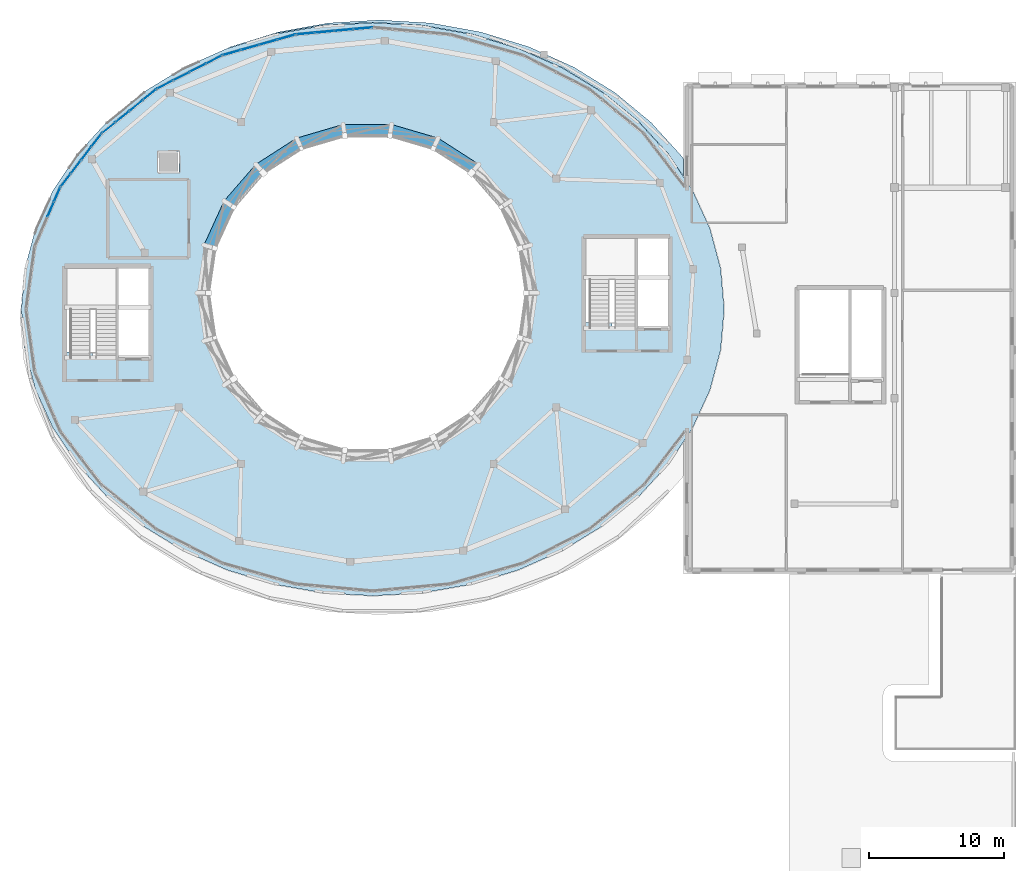
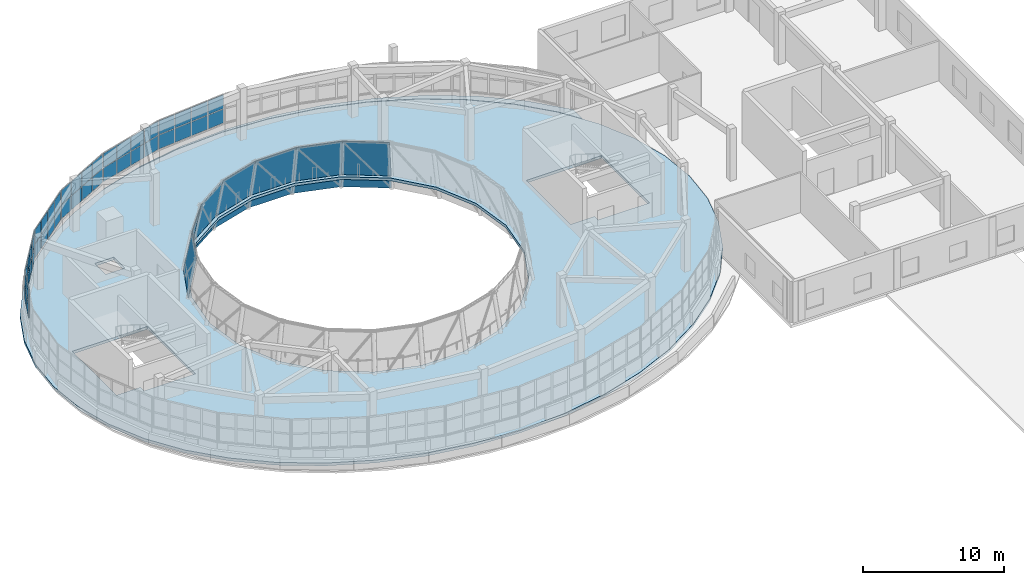
# One storey, part 31 of 46: 51 plates, 2 slabs, 6 elements without a shape of their own.
"""IFC4 building model written with IfcOpenShell, lengths in metres."""

from ifc_helpers import new_model, si_unit, direction, frame, origin, origin_2d, place, context, subcontext, project, spatial, polyline, rectangle, outline, extrude, material, layer, layer_set, type_object, element, aggregate, save


model = new_model("IFC4")

# Units and contexts
model_context = context("Model", 3, precision=1e-05, world=origin(), true_north=direction((0.0, 1.0)))
body_context = subcontext(model_context, "Body", "Model", "MODEL_VIEW")
ifc_project = project(units=[si_unit("LENGTHUNIT", "METRE"), si_unit("AREAUNIT", "SQUARE_METRE"), si_unit("VOLUMEUNIT", "CUBIC_METRE"), si_unit("PLANEANGLEUNIT", "RADIAN"), si_unit("MASSUNIT", "GRAM", prefix="KILO")], contexts=[model_context])

# Site, building, storey
site_placement = place(None, origin())
site = spatial("IfcSite", under=ifc_project, at=site_placement, CompositionType="ELEMENT")
building_placement = place(site_placement, origin())
building = spatial("IfcBuilding", under=site, at=building_placement, Name="Pelvatis Terrace Science Centre", CompositionType="ELEMENT")
storey_placement = place(building_placement, frame((0.0, 0.0, 19.800048828125)))
storey = spatial("IfcBuildingStorey", under=building, at=storey_placement, Name="L04", CompositionType="ELEMENT", Elevation=19.800048828125)

# Curtain wall, plates
ifc_material_1 = material(Name="Bronze-anodised aluminium and laminated glass", Category="aluminium")
ifc_layer_1 = layer(ifc_material_1, 0.14990234375)
ifc_layer_set_1 = layer_set([ifc_layer_1], Name="Bronze-anodised aluminium and laminated glass")
curtain_wall_type = type_object("IfcCurtainWallType", Name="CW-PASSAGE-C", PredefinedType="NOTDEFINED", material=ifc_layer_set_1)
curtain_wall_1_placement = place(storey_placement, origin())
curtain_wall_1 = element("IfcCurtainWall", 1, at=curtain_wall_1_placement, inside=storey, type_object=curtain_wall_type, Name="Ribbon curtain wall CW-218 (L04)", PredefinedType="NOTDEFINED")
ifc_material_2 = material(Name="Low-e laminated solar-control double glazing", Category="glass")
ifc_layer_2 = layer(ifc_material_2, 0.0400390625)
ifc_layer_set_2 = layer_set([ifc_layer_2], Name="Low-e laminated solar-control double glazing")
plate_type_1 = type_object("IfcPlateType", Name="CWP-SPN-40", PredefinedType="CURTAIN_PANEL", material=ifc_layer_set_2)
plate_1_placement = place(storey_placement, frame((108.872802734375, 105.38330078125, 1.074951171875), z_axis=(0.0, 0.0, 1.0), x_axis=(-0.995831338588, -0.09121373299, 0.0)))
plate_1 = element("IfcPlate", 2, at=plate_1_placement, type_object=plate_type_1, Name="CW-218 panel 1.1", PredefinedType="CURTAIN_PANEL", context=body_context, shape_type="SweptSolid", body=[
    extrude(rectangle(XDim=1.350341796875, YDim=0.0400390625, at=origin_2d()), origin(), (0.0, 0.0, 1.0), 1.1923828125),
])
plate_2_placement = place(storey_placement, frame((108.872802734375, 105.38330078125, 2.322509765625), z_axis=(0.0, 0.0, 1.0), x_axis=(-0.995831338588, -0.09121373299, 0.0)))
plate_2 = element("IfcPlate", 3, at=plate_2_placement, type_object=plate_type_1, Name="CW-218 panel 1.2", PredefinedType="CURTAIN_PANEL", context=body_context, shape_type="SweptSolid", body=[
    extrude(rectangle(XDim=1.350341796875, YDim=0.0400390625, at=origin_2d()), origin(), (0.0, 0.0, 1.0), 1.1923828125),
])
plate_3_placement = place(storey_placement, frame((107.459716796875, 105.25390625, 1.074951171875), z_axis=(0.0, 0.0, 1.0), x_axis=(-0.995831338588, -0.09121373299, 0.0)))
plate_3 = element("IfcPlate", 4, at=plate_3_placement, type_object=plate_type_1, Name="CW-218 panel 2.1", PredefinedType="CURTAIN_PANEL", context=body_context, shape_type="SweptSolid", body=[
    extrude(rectangle(XDim=1.3779296875, YDim=0.0400390625, at=origin_2d()), origin(), (0.0, 0.0, 1.0), 1.1923828125),
])
plate_4_placement = place(storey_placement, frame((107.459716796875, 105.25390625, 2.322509765625), z_axis=(0.0, 0.0, 1.0), x_axis=(-0.995831338588, -0.09121373299, 0.0)))
plate_4 = element("IfcPlate", 5, at=plate_4_placement, type_object=plate_type_1, Name="CW-218 panel 2.2", PredefinedType="CURTAIN_PANEL", context=body_context, shape_type="SweptSolid", body=[
    extrude(rectangle(XDim=1.3779296875, YDim=0.0400390625, at=origin_2d()), origin(), (0.0, 0.0, 1.0), 1.1923828125),
])
plate_5_placement = place(storey_placement, frame((106.03271484375, 105.123291015625, 1.074951171875), z_axis=(0.0, 0.0, 1.0), x_axis=(-0.995831338588, -0.09121373299, 0.0)))
plate_5 = element("IfcPlate", 6, at=plate_5_placement, type_object=plate_type_1, Name="CW-218 panel 3.1", PredefinedType="CURTAIN_PANEL", context=body_context, shape_type="SweptSolid", body=[
    extrude(rectangle(XDim=1.3779296875, YDim=0.0400390625, at=origin_2d()), origin(), (0.0, 0.0, 1.0), 1.1923828125),
])
plate_6_placement = place(storey_placement, frame((106.03271484375, 105.123291015625, 2.322509765625), z_axis=(0.0, 0.0, 1.0), x_axis=(-0.995831338588, -0.09121373299, 0.0)))
plate_6 = element("IfcPlate", 7, at=plate_6_placement, type_object=plate_type_1, Name="CW-218 panel 3.2", PredefinedType="CURTAIN_PANEL", context=body_context, shape_type="SweptSolid", body=[
    extrude(rectangle(XDim=1.3779296875, YDim=0.0400390625, at=origin_2d()), origin(), (0.0, 0.0, 1.0), 1.1923828125),
])
plate_7_placement = place(storey_placement, frame((104.619384765625, 104.993896484375, 1.074951171875), z_axis=(0.0, 0.0, 1.0), x_axis=(-0.995831338588, -0.09121373299, 0.0)))
plate_7 = element("IfcPlate", 8, at=plate_7_placement, type_object=plate_type_1, Name="CW-218 panel 4.1", PredefinedType="CURTAIN_PANEL", context=body_context, shape_type="SweptSolid", body=[
    extrude(rectangle(XDim=1.350341796875, YDim=0.0400390625, at=origin_2d()), origin(), (0.0, 0.0, 1.0), 1.1923828125),
])
plate_8_placement = place(storey_placement, frame((104.619384765625, 104.993896484375, 2.322509765625), z_axis=(0.0, 0.0, 1.0), x_axis=(-0.995831338588, -0.09121373299, 0.0)))
plate_8 = element("IfcPlate", 9, at=plate_8_placement, type_object=plate_type_1, Name="CW-218 panel 4.2", PredefinedType="CURTAIN_PANEL", context=body_context, shape_type="SweptSolid", body=[
    extrude(rectangle(XDim=1.350341796875, YDim=0.0400390625, at=origin_2d()), origin(), (0.0, 0.0, 1.0), 1.1923828125),
])
aggregate(curtain_wall_1, [plate_1, plate_2, plate_3, plate_4, plate_5, plate_6, plate_7, plate_8])

curtain_wall_2_placement = place(storey_placement, origin())
curtain_wall_2 = element("IfcCurtainWall", 10, at=curtain_wall_2_placement, inside=storey, type_object=curtain_wall_type, Name="Ribbon curtain wall CW-219 (L04)", PredefinedType="NOTDEFINED")
plate_9_placement = place(storey_placement, frame((103.201416015625, 104.730712890625, 1.074951171875), z_axis=(0.0, 0.0, 1.0), x_axis=(-0.96184998325, -0.273577429116, 0.0)))
plate_9 = element("IfcPlate", 11, at=plate_9_placement, type_object=plate_type_1, Name="CW-219 panel 1.1", PredefinedType="CURTAIN_PANEL", context=body_context, shape_type="SweptSolid", body=[
    extrude(rectangle(XDim=1.32666015625, YDim=0.0400390625, at=origin_2d()), origin(), (0.0, 0.0, 1.0), 1.1923828125),
])
plate_10_placement = place(storey_placement, frame((103.201416015625, 104.730712890625, 2.322509765625), z_axis=(0.0, 0.0, 1.0), x_axis=(-0.96184998325, -0.273577429116, 0.0)))
plate_10 = element("IfcPlate", 12, at=plate_10_placement, type_object=plate_type_1, Name="CW-219 panel 1.2", PredefinedType="CURTAIN_PANEL", context=body_context, shape_type="SweptSolid", body=[
    extrude(rectangle(XDim=1.32666015625, YDim=0.0400390625, at=origin_2d()), origin(), (0.0, 0.0, 1.0), 1.1923828125),
])
plate_11_placement = place(storey_placement, frame((101.859375, 104.348876953125, 1.074951171875), z_axis=(0.0, 0.0, 1.0), x_axis=(-0.96184998325, -0.273577429116, 0.0)))
plate_11 = element("IfcPlate", 13, at=plate_11_placement, type_object=plate_type_1, Name="CW-219 panel 2.1", PredefinedType="CURTAIN_PANEL", context=body_context, shape_type="SweptSolid", body=[
    extrude(rectangle(XDim=1.35400390625, YDim=0.0400390625, at=origin_2d()), origin(), (0.0, 0.0, 1.0), 1.1923828125),
])
plate_12_placement = place(storey_placement, frame((101.859375, 104.348876953125, 2.322509765625), z_axis=(0.0, 0.0, 1.0), x_axis=(-0.96184998325, -0.273577429116, 0.0)))
plate_12 = element("IfcPlate", 14, at=plate_12_placement, type_object=plate_type_1, Name="CW-219 panel 2.2", PredefinedType="CURTAIN_PANEL", context=body_context, shape_type="SweptSolid", body=[
    extrude(rectangle(XDim=1.35400390625, YDim=0.0400390625, at=origin_2d()), origin(), (0.0, 0.0, 1.0), 1.1923828125),
])
plate_13_placement = place(storey_placement, frame((100.50390625, 103.96337890625, 1.074951171875), z_axis=(0.0, 0.0, 1.0), x_axis=(-0.96184998325, -0.273577429116, 0.0)))
plate_13 = element("IfcPlate", 15, at=plate_13_placement, type_object=plate_type_1, Name="CW-219 panel 3.1", PredefinedType="CURTAIN_PANEL", context=body_context, shape_type="SweptSolid", body=[
    extrude(rectangle(XDim=1.35400390625, YDim=0.0400390625, at=origin_2d()), origin(), (0.0, 0.0, 1.0), 1.1923828125),
])
plate_14_placement = place(storey_placement, frame((100.50390625, 103.96337890625, 2.322509765625), z_axis=(0.0, 0.0, 1.0), x_axis=(-0.96184998325, -0.273577429116, 0.0)))
plate_14 = element("IfcPlate", 16, at=plate_14_placement, type_object=plate_type_1, Name="CW-219 panel 3.2", PredefinedType="CURTAIN_PANEL", context=body_context, shape_type="SweptSolid", body=[
    extrude(rectangle(XDim=1.35400390625, YDim=0.0400390625, at=origin_2d()), origin(), (0.0, 0.0, 1.0), 1.1923828125),
])
plate_15_placement = place(storey_placement, frame((99.161865234375, 103.581787109375, 1.074951171875), z_axis=(0.0, 0.0, 1.0), x_axis=(-0.96184998325, -0.273577429116, 0.0)))
plate_15 = element("IfcPlate", 17, at=plate_15_placement, type_object=plate_type_1, Name="CW-219 panel 4.1", PredefinedType="CURTAIN_PANEL", context=body_context, shape_type="SweptSolid", body=[
    extrude(rectangle(XDim=1.32666015625, YDim=0.0400390625, at=origin_2d()), origin(), (0.0, 0.0, 1.0), 1.1923828125),
])
plate_16_placement = place(storey_placement, frame((99.161865234375, 103.581787109375, 2.322509765625), z_axis=(0.0, 0.0, 1.0), x_axis=(-0.96184998325, -0.273577429116, 0.0)))
plate_16 = element("IfcPlate", 18, at=plate_16_placement, type_object=plate_type_1, Name="CW-219 panel 4.2", PredefinedType="CURTAIN_PANEL", context=body_context, shape_type="SweptSolid", body=[
    extrude(rectangle(XDim=1.32666015625, YDim=0.0400390625, at=origin_2d()), origin(), (0.0, 0.0, 1.0), 1.1923828125),
])
aggregate(curtain_wall_2, [plate_9, plate_10, plate_11, plate_12, plate_13, plate_14, plate_15, plate_16])

curtain_wall_3_placement = place(storey_placement, origin())
curtain_wall_3 = element("IfcCurtainWall", 19, at=curtain_wall_3_placement, inside=storey, type_object=curtain_wall_type, Name="Ribbon curtain wall CW-220 (L04)", PredefinedType="NOTDEFINED")
plate_17_placement = place(storey_placement, frame((97.850830078125, 103.068359375, 1.074951171875), z_axis=(0.0, 0.0, 1.0), x_axis=(-0.890563601587, -0.454858737992, 0.0)))
plate_17 = element("IfcPlate", 20, at=plate_17_placement, type_object=plate_type_1, Name="CW-220 panel 1.1", PredefinedType="CURTAIN_PANEL", context=body_context, shape_type="SweptSolid", body=[
    extrude(rectangle(XDim=1.28271484375, YDim=0.0400390625, at=origin_2d()), origin(), (0.0, 0.0, 1.0), 1.1923828125),
])
plate_18_placement = place(storey_placement, frame((97.850830078125, 103.068359375, 2.322509765625), z_axis=(0.0, 0.0, 1.0), x_axis=(-0.890563601587, -0.454858737992, 0.0)))
plate_18 = element("IfcPlate", 21, at=plate_18_placement, type_object=plate_type_1, Name="CW-220 panel 1.2", PredefinedType="CURTAIN_PANEL", context=body_context, shape_type="SweptSolid", body=[
    extrude(rectangle(XDim=1.28271484375, YDim=0.0400390625, at=origin_2d()), origin(), (0.0, 0.0, 1.0), 1.1923828125),
])
plate_19_placement = place(storey_placement, frame((96.647216796875, 102.45361328125, 1.074951171875), z_axis=(0.0, 0.0, 1.0), x_axis=(-0.890563601587, -0.454858737992, 0.0)))
plate_19 = element("IfcPlate", 22, at=plate_19_placement, type_object=plate_type_1, Name="CW-220 panel 2.1", PredefinedType="CURTAIN_PANEL", context=body_context, shape_type="SweptSolid", body=[
    extrude(rectangle(XDim=1.310302734375, YDim=0.0400390625, at=origin_2d()), origin(), (0.0, 0.0, 1.0), 1.1923828125),
])
plate_20_placement = place(storey_placement, frame((96.647216796875, 102.45361328125, 2.322509765625), z_axis=(0.0, 0.0, 1.0), x_axis=(-0.890563601587, -0.454858737992, 0.0)))
plate_20 = element("IfcPlate", 23, at=plate_20_placement, type_object=plate_type_1, Name="CW-220 panel 2.2", PredefinedType="CURTAIN_PANEL", context=body_context, shape_type="SweptSolid", body=[
    extrude(rectangle(XDim=1.310302734375, YDim=0.0400390625, at=origin_2d()), origin(), (0.0, 0.0, 1.0), 1.1923828125),
])
plate_21_placement = place(storey_placement, frame((95.431396484375, 101.832763671875, 1.074951171875), z_axis=(0.0, 0.0, 1.0), x_axis=(-0.890563601587, -0.454858737992, 0.0)))
plate_21 = element("IfcPlate", 24, at=plate_21_placement, type_object=plate_type_1, Name="CW-220 panel 3.1", PredefinedType="CURTAIN_PANEL", context=body_context, shape_type="SweptSolid", body=[
    extrude(rectangle(XDim=1.310302734375, YDim=0.0400390625, at=origin_2d()), origin(), (0.0, 0.0, 1.0), 1.1923828125),
])
plate_22_placement = place(storey_placement, frame((95.431396484375, 101.832763671875, 2.322509765625), z_axis=(0.0, 0.0, 1.0), x_axis=(-0.890563601587, -0.454858737992, 0.0)))
plate_22 = element("IfcPlate", 25, at=plate_22_placement, type_object=plate_type_1, Name="CW-220 panel 3.2", PredefinedType="CURTAIN_PANEL", context=body_context, shape_type="SweptSolid", body=[
    extrude(rectangle(XDim=1.310302734375, YDim=0.0400390625, at=origin_2d()), origin(), (0.0, 0.0, 1.0), 1.1923828125),
])
plate_23_placement = place(storey_placement, frame((94.227783203125, 101.218017578125, 1.074951171875), z_axis=(0.0, 0.0, 1.0), x_axis=(-0.890563601587, -0.454858737992, 0.0)))
plate_23 = element("IfcPlate", 26, at=plate_23_placement, type_object=plate_type_1, Name="CW-220 panel 4.1", PredefinedType="CURTAIN_PANEL", context=body_context, shape_type="SweptSolid", body=[
    extrude(rectangle(XDim=1.28271484375, YDim=0.0400390625, at=origin_2d()), origin(), (0.0, 0.0, 1.0), 1.1923828125),
])
plate_24_placement = place(storey_placement, frame((94.227783203125, 101.218017578125, 2.322509765625), z_axis=(0.0, 0.0, 1.0), x_axis=(-0.890563601587, -0.454858737992, 0.0)))
plate_24 = element("IfcPlate", 27, at=plate_24_placement, type_object=plate_type_1, Name="CW-220 panel 4.2", PredefinedType="CURTAIN_PANEL", context=body_context, shape_type="SweptSolid", body=[
    extrude(rectangle(XDim=1.28271484375, YDim=0.0400390625, at=origin_2d()), origin(), (0.0, 0.0, 1.0), 1.1923828125),
])
aggregate(curtain_wall_3, [plate_17, plate_18, plate_19, plate_20, plate_21, plate_22, plate_23, plate_24])

curtain_wall_4_placement = place(storey_placement, origin())
curtain_wall_4 = element("IfcCurtainWall", 28, at=curtain_wall_4_placement, inside=storey, type_object=curtain_wall_type, Name="Ribbon curtain wall CW-221 (L04)", PredefinedType="NOTDEFINED")
plate_25_placement = place(storey_placement, frame((93.089111328125, 100.479736328125, 1.074951171875), z_axis=(0.0, 0.0, 1.0), x_axis=(-0.775980152456, -0.630757324963, 0.0)))
plate_25 = element("IfcPlate", 29, at=plate_25_placement, type_object=plate_type_1, Name="CW-221 panel 1.1", PredefinedType="CURTAIN_PANEL", context=body_context, shape_type="SweptSolid", body=[
    extrude(rectangle(XDim=1.22607421875, YDim=0.0400390625, at=origin_2d()), origin(), (0.0, 0.0, 1.0), 1.1923828125),
])
plate_26_placement = place(storey_placement, frame((93.089111328125, 100.479736328125, 2.322509765625), z_axis=(0.0, 0.0, 1.0), x_axis=(-0.775980152456, -0.630757324963, 0.0)))
plate_26 = element("IfcPlate", 30, at=plate_26_placement, type_object=plate_type_1, Name="CW-221 panel 1.2", PredefinedType="CURTAIN_PANEL", context=body_context, shape_type="SweptSolid", body=[
    extrude(rectangle(XDim=1.22607421875, YDim=0.0400390625, at=origin_2d()), origin(), (0.0, 0.0, 1.0), 1.1923828125),
])
plate_27_placement = place(storey_placement, frame((92.08447265625, 99.6630859375, 1.074951171875), z_axis=(0.0, 0.0, 1.0), x_axis=(-0.775980152456, -0.630757324963, 0.0)))
plate_27 = element("IfcPlate", 31, at=plate_27_placement, type_object=plate_type_1, Name="CW-221 panel 2.1", PredefinedType="CURTAIN_PANEL", context=body_context, shape_type="SweptSolid", body=[
    extrude(rectangle(XDim=1.25341796875, YDim=0.0400390625, at=origin_2d()), origin(), (0.0, 0.0, 1.0), 1.1923828125),
])
plate_28_placement = place(storey_placement, frame((92.08447265625, 99.6630859375, 2.322509765625), z_axis=(0.0, 0.0, 1.0), x_axis=(-0.775980152456, -0.630757324963, 0.0)))
plate_28 = element("IfcPlate", 32, at=plate_28_placement, type_object=plate_type_1, Name="CW-221 panel 2.2", PredefinedType="CURTAIN_PANEL", context=body_context, shape_type="SweptSolid", body=[
    extrude(rectangle(XDim=1.25341796875, YDim=0.0400390625, at=origin_2d()), origin(), (0.0, 0.0, 1.0), 1.1923828125),
])
plate_29_placement = place(storey_placement, frame((91.069091796875, 98.837890625, 1.074951171875), z_axis=(0.0, 0.0, 1.0), x_axis=(-0.775980152456, -0.630757324963, 0.0)))
plate_29 = element("IfcPlate", 33, at=plate_29_placement, type_object=plate_type_1, Name="CW-221 panel 3.1", PredefinedType="CURTAIN_PANEL", context=body_context, shape_type="SweptSolid", body=[
    extrude(rectangle(XDim=1.25341796875, YDim=0.0400390625, at=origin_2d()), origin(), (0.0, 0.0, 1.0), 1.1923828125),
])
plate_30_placement = place(storey_placement, frame((91.069091796875, 98.837890625, 2.322509765625), z_axis=(0.0, 0.0, 1.0), x_axis=(-0.775980152456, -0.630757324963, 0.0)))
plate_30 = element("IfcPlate", 34, at=plate_30_placement, type_object=plate_type_1, Name="CW-221 panel 3.2", PredefinedType="CURTAIN_PANEL", context=body_context, shape_type="SweptSolid", body=[
    extrude(rectangle(XDim=1.25341796875, YDim=0.0400390625, at=origin_2d()), origin(), (0.0, 0.0, 1.0), 1.1923828125),
])
plate_31_placement = place(storey_placement, frame((90.064453125, 98.021240234375, 1.074951171875), z_axis=(0.0, 0.0, 1.0), x_axis=(-0.775980152456, -0.630757324963, 0.0)))
plate_31 = element("IfcPlate", 35, at=plate_31_placement, type_object=plate_type_1, Name="CW-221 panel 4.1", PredefinedType="CURTAIN_PANEL", context=body_context, shape_type="SweptSolid", body=[
    extrude(rectangle(XDim=1.22607421875, YDim=0.0400390625, at=origin_2d()), origin(), (0.0, 0.0, 1.0), 1.1923828125),
])
plate_32_placement = place(storey_placement, frame((90.064453125, 98.021240234375, 2.322509765625), z_axis=(0.0, 0.0, 1.0), x_axis=(-0.775980152456, -0.630757324963, 0.0)))
plate_32 = element("IfcPlate", 36, at=plate_32_placement, type_object=plate_type_1, Name="CW-221 panel 4.2", PredefinedType="CURTAIN_PANEL", context=body_context, shape_type="SweptSolid", body=[
    extrude(rectangle(XDim=1.22607421875, YDim=0.0400390625, at=origin_2d()), origin(), (0.0, 0.0, 1.0), 1.1923828125),
])
aggregate(curtain_wall_4, [plate_25, plate_26, plate_27, plate_28, plate_29, plate_30, plate_31, plate_32])

curtain_wall_5_placement = place(storey_placement, origin())
curtain_wall_5 = element("IfcCurtainWall", 37, at=curtain_wall_5_placement, inside=storey, type_object=curtain_wall_type, Name="Ribbon curtain wall CW-222 (L04)", PredefinedType="NOTDEFINED")
plate_33_placement = place(storey_placement, frame((89.155517578125, 97.0947265625, 1.074951171875), z_axis=(0.0, 0.0, 1.0), x_axis=(-0.611582483994, -0.791180678019, 0.0)))
plate_33 = element("IfcPlate", 38, at=plate_33_placement, type_object=plate_type_1, Name="CW-222 panel 1.1", PredefinedType="CURTAIN_PANEL", context=body_context, shape_type="SweptSolid", body=[
    extrude(rectangle(XDim=1.166748046875, YDim=0.0400390625, at=origin_2d()), origin(), (0.0, 0.0, 1.0), 1.1923828125),
])
plate_34_placement = place(storey_placement, frame((89.155517578125, 97.0947265625, 2.322509765625), z_axis=(0.0, 0.0, 1.0), x_axis=(-0.611582483994, -0.791180678019, 0.0)))
plate_34 = element("IfcPlate", 39, at=plate_34_placement, type_object=plate_type_1, Name="CW-222 panel 1.2", PredefinedType="CURTAIN_PANEL", context=body_context, shape_type="SweptSolid", body=[
    extrude(rectangle(XDim=1.166748046875, YDim=0.0400390625, at=origin_2d()), origin(), (0.0, 0.0, 1.0), 1.1923828125),
])
plate_35_placement = place(storey_placement, frame((88.400146484375, 96.117431640625, 1.074951171875), z_axis=(0.0, 0.0, 1.0), x_axis=(-0.611582483994, -0.791180678019, 0.0)))
plate_35 = element("IfcPlate", 40, at=plate_35_placement, type_object=plate_type_1, Name="CW-222 panel 2.1", PredefinedType="CURTAIN_PANEL", context=body_context, shape_type="SweptSolid", body=[
    extrude(rectangle(XDim=1.194091796875, YDim=0.0400390625, at=origin_2d()), origin(), (0.0, 0.0, 1.0), 1.1923828125),
])
plate_36_placement = place(storey_placement, frame((88.400146484375, 96.117431640625, 2.322509765625), z_axis=(0.0, 0.0, 1.0), x_axis=(-0.611582483994, -0.791180678019, 0.0)))
plate_36 = element("IfcPlate", 41, at=plate_36_placement, type_object=plate_type_1, Name="CW-222 panel 2.2", PredefinedType="CURTAIN_PANEL", context=body_context, shape_type="SweptSolid", body=[
    extrude(rectangle(XDim=1.194091796875, YDim=0.0400390625, at=origin_2d()), origin(), (0.0, 0.0, 1.0), 1.1923828125),
])
plate_37_placement = place(storey_placement, frame((87.635986328125, 95.12890625, 1.074951171875), z_axis=(0.0, 0.0, 1.0), x_axis=(-0.611582483994, -0.791180678019, 0.0)))
plate_37 = element("IfcPlate", 42, at=plate_37_placement, type_object=plate_type_1, Name="CW-222 panel 3.1", PredefinedType="CURTAIN_PANEL", context=body_context, shape_type="SweptSolid", body=[
    extrude(rectangle(XDim=1.194091796875, YDim=0.0400390625, at=origin_2d()), origin(), (0.0, 0.0, 1.0), 1.1923828125),
])
plate_38_placement = place(storey_placement, frame((87.635986328125, 95.12890625, 2.322509765625), z_axis=(0.0, 0.0, 1.0), x_axis=(-0.611582483994, -0.791180678019, 0.0)))
plate_38 = element("IfcPlate", 43, at=plate_38_placement, type_object=plate_type_1, Name="CW-222 panel 3.2", PredefinedType="CURTAIN_PANEL", context=body_context, shape_type="SweptSolid", body=[
    extrude(rectangle(XDim=1.194091796875, YDim=0.0400390625, at=origin_2d()), origin(), (0.0, 0.0, 1.0), 1.1923828125),
])
plate_39_placement = place(storey_placement, frame((86.880615234375, 94.151611328125, 1.074951171875), z_axis=(0.0, 0.0, 1.0), x_axis=(-0.611582483994, -0.791180678019, 0.0)))
plate_39 = element("IfcPlate", 44, at=plate_39_placement, type_object=plate_type_1, Name="CW-222 panel 4.1", PredefinedType="CURTAIN_PANEL", context=body_context, shape_type="SweptSolid", body=[
    extrude(rectangle(XDim=1.166748046875, YDim=0.0400390625, at=origin_2d()), origin(), (0.0, 0.0, 1.0), 1.1923828125),
])
plate_40_placement = place(storey_placement, frame((86.880615234375, 94.151611328125, 2.322509765625), z_axis=(0.0, 0.0, 1.0), x_axis=(-0.611582483994, -0.791180678019, 0.0)))
plate_40 = element("IfcPlate", 45, at=plate_40_placement, type_object=plate_type_1, Name="CW-222 panel 4.2", PredefinedType="CURTAIN_PANEL", context=body_context, shape_type="SweptSolid", body=[
    extrude(rectangle(XDim=1.166748046875, YDim=0.0400390625, at=origin_2d()), origin(), (0.0, 0.0, 1.0), 1.1923828125),
])
aggregate(curtain_wall_5, [plate_33, plate_34, plate_35, plate_36, plate_37, plate_38, plate_39, plate_40])

curtain_wall_6_placement = place(storey_placement, origin())
curtain_wall_6 = element("IfcCurtainWall", 46, at=curtain_wall_6_placement, inside=storey, type_object=curtain_wall_type, Name="Ribbon curtain wall CW-223 (L04)", PredefinedType="NOTDEFINED")
plate_41_placement = place(storey_placement, frame((86.24755859375, 93.0830078125, 1.074951171875), z_axis=(0.0, 0.0, 1.0), x_axis=(-0.395385330111, -0.918515345943, 0.0)))
plate_41 = element("IfcPlate", 47, at=plate_41_placement, type_object=plate_type_1, Name="CW-223 panel 1.1", PredefinedType="CURTAIN_PANEL", context=body_context, shape_type="SweptSolid", body=[
    extrude(rectangle(XDim=1.116943359375, YDim=0.0400390625, at=origin_2d()), origin(), (0.0, 0.0, 1.0), 1.1923828125),
])
plate_42_placement = place(storey_placement, frame((86.24755859375, 93.0830078125, 2.322509765625), z_axis=(0.0, 0.0, 1.0), x_axis=(-0.395385330111, -0.918515345943, 0.0)))
plate_42 = element("IfcPlate", 48, at=plate_42_placement, type_object=plate_type_1, Name="CW-223 panel 1.2", PredefinedType="CURTAIN_PANEL", context=body_context, shape_type="SweptSolid", body=[
    extrude(rectangle(XDim=1.116943359375, YDim=0.0400390625, at=origin_2d()), origin(), (0.0, 0.0, 1.0), 1.1923828125),
])
plate_43_placement = place(storey_placement, frame((85.77880859375, 91.993896484375, 1.074951171875), z_axis=(0.0, 0.0, 1.0), x_axis=(-0.395385330111, -0.918515345943, 0.0)))
plate_43 = element("IfcPlate", 49, at=plate_43_placement, type_object=plate_type_1, Name="CW-223 panel 2.1", PredefinedType="CURTAIN_PANEL", context=body_context, shape_type="SweptSolid", body=[
    extrude(rectangle(XDim=1.14453125, YDim=0.0400390625, at=origin_2d()), origin(), (0.0, 0.0, 1.0), 1.1923828125),
])
plate_44_placement = place(storey_placement, frame((85.77880859375, 91.993896484375, 2.322509765625), z_axis=(0.0, 0.0, 1.0), x_axis=(-0.395385330111, -0.918515345943, 0.0)))
plate_44 = element("IfcPlate", 50, at=plate_44_placement, type_object=plate_type_1, Name="CW-223 panel 2.2", PredefinedType="CURTAIN_PANEL", context=body_context, shape_type="SweptSolid", body=[
    extrude(rectangle(XDim=1.14453125, YDim=0.0400390625, at=origin_2d()), origin(), (0.0, 0.0, 1.0), 1.1923828125),
])
aggregate(curtain_wall_6, [plate_41, plate_42, plate_43, plate_44])

# Plates
ifc_material_3 = material(Name="Bronze-patinated standing-seam titanium-zinc sheet", Category="steel")
ifc_layer_3 = layer(ifc_material_3, 0.01611328125)
ifc_layer_set_3 = layer_set([ifc_layer_3], Name="Bronze-patinated standing-seam titanium-zinc sheet")
plate_type_2 = type_object("IfcPlateType", Name="PLT-DOM-SH16", PredefinedType="SHEET", material=ifc_layer_set_3)
plate_45_placement = place(storey_placement, frame((117.451171875, 95.322509765625, -1.199951171875), z_axis=(0.531756739716, 0.827450331826, 0.180445886977), x_axis=(-0.841259486521, 0.540631553217, -1.974539e-06)))
element("IfcPlate", 51, at=plate_45_placement, inside=storey, type_object=plate_type_2, Name="Planetarium dome shell panel 1.04", PredefinedType="SHEET", context=body_context, shape_type="SweptSolid", body=[
    extrude(outline(polyline([(0.0, 0.0), (3.5864210278518227, -1.1102230246251565e-16), (3.4669986439964298, 4.590745184865685), (0.11888999371605703, 4.590731263848958), (0.0, 0.0)])), origin(), (0.0, 0.0, -1.0), 0.013916015625),
])
plate_46_placement = place(storey_placement, frame((114.43408203125, 97.261474609375, -1.199951171875), z_axis=(0.277100733265, 0.943742349873, 0.180459304775), x_axis=(-0.959495063736, 0.281725438426, 3.094584e-06)))
element("IfcPlate", 52, at=plate_46_placement, inside=storey, type_object=plate_type_2, Name="Planetarium dome shell panel 1.05", PredefinedType="SHEET", context=body_context, shape_type="SweptSolid", body=[
    extrude(outline(polyline([(0.0, 0.0), (3.5861580303966187, 0.0), (3.4671141858804626, 4.590738806137446), (0.11882740907809529, 4.5907606235506595), (0.0, 0.0)])), origin(), (0.0, 0.0, -1.0), 0.013916015625),
])
plate_47_placement = place(storey_placement, frame((110.9931640625, 98.271728515625, -1.199951171875), z_axis=(0.0, 0.983585326699, 0.180443634144), x_axis=(-1.0, 0.0, 0.0)))
element("IfcPlate", 53, at=plate_47_placement, inside=storey, type_object=plate_type_2, Name="Planetarium dome shell panel 1.06", PredefinedType="SHEET", context=body_context, shape_type="SweptSolid", body=[
    extrude(outline(polyline([(0.0, 0.0), (3.58642578125, 0.0), (3.46728515625, 4.590736295884346), (0.119140625, 4.590736295884346), (0.0, 0.0)])), origin(), (0.0, 0.0, -1.0), 0.013916015625),
])
plate_48_placement = place(storey_placement, frame((107.40673828125, 98.271728515625, -1.199951171875), z_axis=(-0.277109719655, 0.943738325425, 0.180466552018), x_axis=(-0.95949236026, -0.281734645683, -4.85537e-06)))
element("IfcPlate", 54, at=plate_48_placement, inside=storey, type_object=plate_type_2, Name="Planetarium dome shell panel 1.07", PredefinedType="SHEET", context=body_context, shape_type="SweptSolid", body=[
    extrude(outline(polyline([(0.0, 0.0), (3.5861580296259756, -2.7755575615628914e-17), (3.467096369178922, 4.590773035753284), (0.11904384300045226, 4.590738805574746), (0.0, 0.0)])), origin(), (0.0, 0.0, -1.0), 0.013916015625),
])
plate_49_placement = place(storey_placement, frame((103.9658203125, 97.261474609375, -1.199951171875), z_axis=(-0.531753980728, 0.827446038649, 0.180473701973), x_axis=(-0.841259486461, -0.540631553311, 1.974834e-06)))
element("IfcPlate", 55, at=plate_49_placement, inside=storey, type_object=plate_type_2, Name="Planetarium dome shell panel 1.08", PredefinedType="SHEET", context=body_context, shape_type="SweptSolid", body=[
    extrude(outline(polyline([(0.0, 0.0), (3.5864210278518245, 0.0), (3.4673256499395366, 4.590755082085776), (0.11921699965917083, 4.590769005248371), (0.0, 0.0)])), origin(), (0.0, 0.0, -1.0), 0.013916015625),
])
plate_50_placement = place(storey_placement, frame((100.94873046875, 95.322509765625, -1.199951171875), z_axis=(-0.743332249683, 0.64412201511, 0.180454970094), x_axis=(-0.654872584356, -0.755739305749, 2.28939e-06)))
element("IfcPlate", 56, at=plate_50_placement, inside=storey, type_object=plate_type_2, Name="Planetarium dome shell panel 1.09", PredefinedType="SHEET", context=body_context, shape_type="SweptSolid", body=[
    extrude(outline(polyline([(0.0, 0.0), (3.5864482504706316, -5.551115123125783e-17), (3.4672526309753757, 4.590737932238182), (0.11913426064294838, 4.590754073150439), (0.0, 0.0)])), origin(), (0.0, 0.0, -1.0), 0.013916015625),
])
plate_51_placement = place(storey_placement, frame((98.60009765625, 92.612060546875, -1.199951171875), z_axis=(-0.894704511848, 0.408585305387, 0.180449119425), x_axis=(-0.415404390444, -0.909636846439, 3.67539e-07)))
element("IfcPlate", 57, at=plate_51_placement, inside=storey, type_object=plate_type_2, Name="Planetarium dome shell panel 1.10", PredefinedType="SHEET", context=body_context, shape_type="SweptSolid", body=[
    extrude(outline(polyline([(0.0, 0.0), (3.5862707843283346, 0.0), (3.4672402548157786, 4.5907396971137535), (0.11902773731393917, 4.590742288341202), (0.0, 0.0)])), origin(), (0.0, 0.0, -1.0), 0.013916015625),
])

# Slabs
ifc_material_4 = material(Name="Concrete C35/45", Category="concrete")
ifc_layer_4 = layer(ifc_material_4, 0.238037109375)
ifc_layer_set_4 = layer_set([ifc_layer_4], Name="Concrete C35/45")
slab_type_1 = type_object("IfcSlabType", Name="SLB-FLR-238", PredefinedType="FLOOR", material=ifc_layer_set_4)
slab_1_placement = place(storey_placement, frame((0.0, 0.0, -0.238037109375)))
element("IfcSlab", 58, at=slab_1_placement, inside=storey, type_object=slab_type_1, Name="L04 Planetarium cove and climate gallery ring slab", PredefinedType="FLOOR", context=body_context, shape_type="SweptSolid", body=[
    extrude(outline(polyline([(135.33544921875, 81.5830078125), (134.546875, 78.627197265625), (133.25048828125, 75.793212890625), (131.47265625, 73.138427734375), (129.24951171875, 70.717041015625), (126.62646484375, 68.578125), (123.65673828125, 66.765380859375), (120.40087890625, 65.31591796875), (116.925048828125, 64.2587890625), (113.30029296875, 63.61572265625), (109.60009765625, 63.39990234375), (105.89990234375, 63.61572265625), (102.27490234375, 64.2587890625), (98.79931640625, 65.31591796875), (95.543212890625, 66.765380859375), (92.573486328125, 68.578125), (89.950439453125, 70.717041015625), (87.727294921875, 73.138427734375), (85.94970703125, 75.793212890625), (84.6533203125, 78.627197265625), (83.864501953125, 81.5830078125), (83.60009765625, 84.60009765625), (83.864501953125, 87.6171875), (84.6533203125, 90.57275390625), (85.94970703125, 93.40673828125), (87.727294921875, 96.0615234375), (89.950439453125, 98.48291015625), (92.573486328125, 100.621826171875), (95.543212890625, 102.4345703125), (98.79931640625, 103.88427734375), (102.27490234375, 104.94140625), (105.89990234375, 105.584228515625), (109.60009765625, 105.800048828125), (113.30029296875, 105.584228515625), (116.925048828125, 104.94140625), (120.40087890625, 103.88427734375), (123.65673828125, 102.4345703125), (126.62646484375, 100.621826171875), (129.24951171875, 98.48291015625), (131.47265625, 96.0615234375), (133.25048828125, 93.40673828125), (134.546875, 90.57275390625), (135.33544921875, 87.6171875), (135.60009765625, 84.60009765625), (135.33544921875, 81.5830078125)]), holes=[polyline([(86.919921875, 87.679931640625), (86.919921875, 81.419921875), (88.8798828125, 81.419921875), (88.8798828125, 80.919921875), (93.080078125, 80.919921875), (93.080078125, 87.679931640625), (86.919921875, 87.679931640625)]), polyline([(120.809814453125, 82.39111328125), (121.300048828125, 85.800048828125), (120.809814453125, 89.208984375), (119.379150390625, 92.341796875), (117.123779296875, 94.944580078125), (114.2265625, 96.806396484375), (110.922119140625, 97.77685546875), (107.47802734375, 97.77685546875), (104.173583984375, 96.806396484375), (101.276123046875, 94.944580078125), (99.020751953125, 92.341796875), (97.590087890625, 89.208984375), (97.10009765625, 85.800048828125), (97.590087890625, 82.39111328125), (99.020751953125, 79.25830078125), (101.276123046875, 76.655517578125), (104.173583984375, 74.79345703125), (107.47802734375, 73.8232421875), (110.922119140625, 73.8232421875), (114.2265625, 74.79345703125), (117.123779296875, 76.655517578125), (119.379150390625, 79.25830078125), (120.809814453125, 82.39111328125)]), polyline([(125.320068359375, 89.8798828125), (125.320068359375, 83.6201171875), (127.280029296875, 83.6201171875), (127.280029296875, 83.1201171875), (131.47998046875, 83.1201171875), (131.47998046875, 89.8798828125), (125.320068359375, 89.8798828125)]), polyline([(93.72509765625, 96.27490234375), (93.72509765625, 94.72509765625), (95.27490234375, 94.72509765625), (95.27490234375, 96.27490234375), (93.72509765625, 96.27490234375)])]), origin(), (0.0, 0.0, 1.0), 0.238037109375),
])
ifc_material_5 = material(Name="Concrete C35/45", Category="concrete")
ifc_layer_5 = layer(ifc_material_5, 0.1650390625)
ifc_layer_set_5 = layer_set([ifc_layer_5], Name="Concrete C35/45")
slab_type_2 = type_object("IfcSlabType", Name="SLB-ROOF-208", PredefinedType="ROOF", material=ifc_layer_set_5)
slab_2_placement = place(storey_placement, frame((0.0, 0.0, -0.1650390625)))
element("IfcSlab", 59, at=slab_2_placement, inside=storey, type_object=slab_type_2, Name="L04 Planetarium ring spiral step collar roof (sector B)", PredefinedType="ROOF", context=body_context, shape_type="SweptSolid", body=[
    extrude(outline(polyline([(99.050048828125, 104.011962890625), (102.60595703125, 105.10888671875), (106.314453125, 105.776123046875), (110.10009765625, 106.0), (113.885498046875, 105.776123046875), (117.593994140625, 105.10888671875), (121.14990234375, 104.011962890625), (124.48095703125, 102.507568359375), (127.519287109375, 100.62646484375), (130.202880859375, 98.406982421875), (132.477294921875, 95.89404296875), (132.580078125, 95.738525390625), (132.580078125, 94.44384765625), (131.48828125, 96.073974609375), (129.26416015625, 98.49658203125), (126.63671875, 100.638916015625), (123.664794921875, 102.452880859375), (120.406494140625, 103.9033203125), (116.930908203125, 104.96044921875), (113.301513671875, 105.604248046875), (109.598876953125, 105.820068359375), (105.896240234375, 105.60400390625), (102.271484375, 104.9609375), (98.843017578125, 103.91845703125), (99.050048828125, 104.011962890625)])), origin(), (0.0, 0.0, 1.0), 0.1650390625),
])

save(model, "model.ifc")
